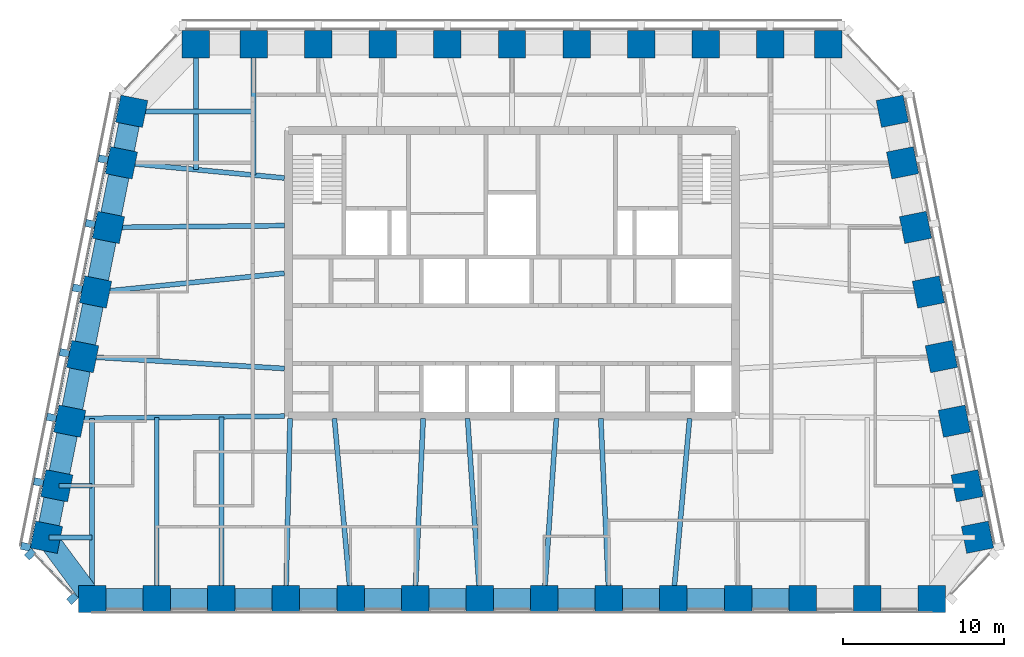
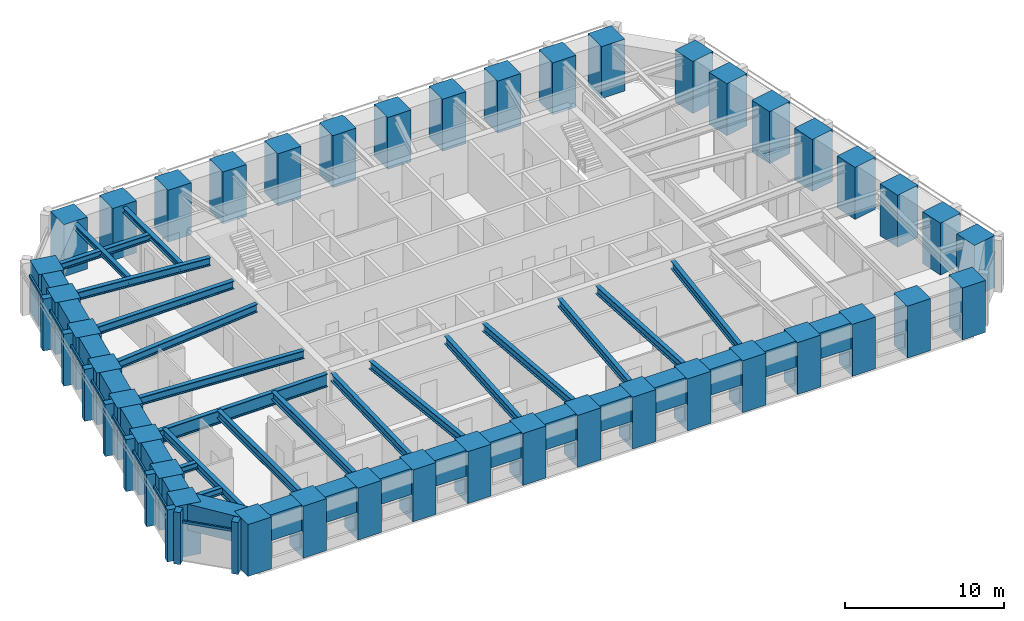
# One storey, part 1 of 11: 41 columns, 39 beams, 17 members, 2 elements without a shape of their own.
"""IFC4 building model written with IfcOpenShell, lengths in metres."""

from ifc_helpers import new_model, si_unit, direction, frame, origin, origin_2d, place, context, subcontext, project, spatial, rectangle, i_section, extrude, material, material_profile, profile_set, type_object, element, aggregate, save


model = new_model("IFC4")

# Units and contexts
model_context = context("Model", 3, precision=1e-05, world=origin(), true_north=direction((0.0, 1.0)))
body_context = subcontext(model_context, "Body", "Model", "MODEL_VIEW")
ifc_project = project(units=[si_unit("LENGTHUNIT", "METRE"), si_unit("AREAUNIT", "SQUARE_METRE"), si_unit("VOLUMEUNIT", "CUBIC_METRE"), si_unit("PLANEANGLEUNIT", "RADIAN"), si_unit("MASSUNIT", "GRAM", prefix="KILO")], contexts=[model_context])

# Site, building, storey
site_placement = place(None, origin())
site = spatial("IfcSite", under=ifc_project, at=site_placement, CompositionType="ELEMENT")
building_placement = place(site_placement, origin())
building = spatial("IfcBuilding", under=site, at=building_placement, Name="Isbrekke Arena Tower", CompositionType="ELEMENT")
storey_placement = place(building_placement, frame((0.0, 0.0, 288.0)))
storey = spatial("IfcBuildingStorey", under=building, at=storey_placement, Name="L67", CompositionType="ELEMENT", Elevation=288.0)

# Columns
ifc_material_1 = material(Name="Concrete B55 (C55/67)", Category="concrete")
ifc_material_profile_1 = material_profile(ifc_material_1, rectangle(XDim=1.699951171875, YDim=1.699951171875, at=origin_2d()), Name="RC 1700x1700")
ifc_profile_set_1 = profile_set([ifc_material_profile_1], Name="Concrete B55 (C55/67)")
column_type = type_object("IfcColumnType", Name="C5 RC 1700 x 1700", PredefinedType="COLUMN", material=ifc_profile_set_1)
for number, where, z_axis, x_axis, name in (
    (1, (-26.0, -5.175048828125, 0.0), (0.0, 0.0, 1.0), (1.0, 0.0, 0.0), "C5 S01"),
    (2, (-22.0, -5.175048828125, 0.0), (0.0, 0.0, 1.0), (1.0, 0.0, 0.0), "C5 S02"),
    (3, (-18.0, -5.175048828125, 0.0), (0.0, 0.0, 1.0), (1.0, 0.0, 0.0), "C5 S03"),
    (4, (-14.0, -5.175048828125, 0.0), (0.0, 0.0, 1.0), (1.0, 0.0, 0.0), "C5 S04"),
    (5, (-10.0, -5.175048828125, 0.0), (0.0, 0.0, 1.0), (1.0, 0.0, 0.0), "C5 S05"),
    (6, (-6.0, -5.175048828125, 0.0), (0.0, 0.0, 1.0), (1.0, 0.0, 0.0), "C5 S06"),
    (7, (-2.0, -5.175048828125, 0.0), (0.0, 0.0, 1.0), (1.0, 0.0, 0.0), "C5 S07"),
    (8, (2.0, -5.175048828125, 0.0), (0.0, 0.0, 1.0), (1.0, 0.0, 0.0), "C5 S08"),
    (9, (6.0, -5.175048828125, 0.0), (0.0, 0.0, 1.0), (1.0, 0.0, 0.0), "C5 S09"),
    (10, (10.0, -5.175048828125, 0.0), (0.0, 0.0, 1.0), (1.0, 0.0, 0.0), "C5 S10"),
    (11, (14.0, -5.175048828125, 0.0), (0.0, 0.0, 1.0), (1.0, 0.0, 0.0), "C5 S11"),
    (12, (18.0, -5.175048828125, 0.0), (0.0, 0.0, 1.0), (1.0, 0.0, 0.0), "C5 S12"),
    (13, (22.0, -5.175048828125, 0.0), (0.0, 0.0, 1.0), (1.0, 0.0, 0.0), "C5 S13"),
    (14, (26.0, -5.175048828125, 0.0), (0.0, 0.0, 1.0), (1.0, 0.0, 0.0), "C5 S14"),
    (15, (28.829345703125, -1.352783203125, 0.0), (0.0, 0.0, 1.0), (-0.196116135138, 0.980580675691, 0.0), "C5 E01"),
    (16, (28.19091796875, 1.838134765625, 0.0), (0.0, 0.0, 1.0), (-0.196116135138, 0.980580675691, 0.0), "C5 E02"),
    (17, (27.39111328125, 5.838134765625, 0.0), (0.0, 0.0, 1.0), (-0.196116135138, 0.980580675691, 0.0), "C5 E03"),
    (18, (26.591064453125, 9.838134765625, 0.0), (0.0, 0.0, 1.0), (-0.196116135138, 0.980580675691, 0.0), "C5 E04"),
    (19, (25.791015625, 13.838134765625, 0.0), (0.0, 0.0, 1.0), (-0.196116135138, 0.980580675691, 0.0), "C5 E05"),
    (20, (24.990966796875, 17.838134765625, 0.0), (0.0, 0.0, 1.0), (-0.196116135138, 0.980580675691, 0.0), "C5 E06"),
    (21, (24.19091796875, 21.838134765625, 0.0), (0.0, 0.0, 1.0), (-0.196116135138, 0.980580675691, 0.0), "C5 E07"),
    (22, (23.552734375, 25.029296875, 0.0), (0.0, 0.0, 1.0), (-0.196116135138, 0.980580675691, 0.0), "C5 E08"),
    (23, (19.574951171875, 29.175048828125, 0.0), (0.0, 0.0, 1.0), (-1.0, 0.0, 0.0), "C5 N01"),
    (24, (16.0, 29.175048828125, 0.0), (0.0, 0.0, 1.0), (-1.0, 0.0, 0.0), "C5 N02"),
    (25, (12.0, 29.175048828125, 0.0), (0.0, 0.0, 1.0), (-1.0, 0.0, 0.0), "C5 N03"),
    (26, (8.0, 29.175048828125, 0.0), (0.0, 0.0, 1.0), (-1.0, 0.0, 0.0), "C5 N04"),
    (27, (4.0, 29.175048828125, 0.0), (0.0, 0.0, 1.0), (-1.0, 0.0, 0.0), "C5 N05"),
    (28, (0.0, 29.175048828125, 0.0), (0.0, 0.0, 1.0), (-1.0, 0.0, 0.0), "C5 N06"),
    (29, (-4.0, 29.175048828125, 0.0), (0.0, 0.0, 1.0), (-1.0, 0.0, 0.0), "C5 N07"),
    (30, (-8.0, 29.175048828125, 0.0), (0.0, 0.0, 1.0), (-1.0, 0.0, 0.0), "C5 N08"),
    (31, (-12.0, 29.175048828125, 0.0), (0.0, 0.0, 1.0), (-1.0, 0.0, 0.0), "C5 N09"),
    (32, (-16.0, 29.175048828125, 0.0), (0.0, 0.0, 1.0), (-1.0, 0.0, 0.0), "C5 N10"),
    (33, (-19.574951171875, 29.175048828125, 0.0), (0.0, 0.0, 1.0), (-1.0, 0.0, 0.0), "C5 N11"),
    (34, (-23.552734375, 25.029296875, 0.0), (0.0, 0.0, 1.0), (-0.196116135138, -0.980580675691, 0.0), "C5 W01"),
    (35, (-24.19091796875, 21.838134765625, 0.0), (0.0, 0.0, 1.0), (-0.196116135138, -0.980580675691, 0.0), "C5 W02"),
    (36, (-24.990966796875, 17.838134765625, 0.0), (0.0, 0.0, 1.0), (-0.196116135138, -0.980580675691, 0.0), "C5 W03"),
    (37, (-25.791015625, 13.838134765625, 0.0), (0.0, 0.0, 1.0), (-0.196116135138, -0.980580675691, 0.0), "C5 W04"),
    (38, (-26.591064453125, 9.838134765625, 0.0), (0.0, 0.0, 1.0), (-0.196116135138, -0.980580675691, 0.0), "C5 W05"),
    (39, (-27.39111328125, 5.838134765625, 0.0), (0.0, 0.0, 1.0), (-0.196116135138, -0.980580675691, 0.0), "C5 W06"),
    (40, (-28.19091796875, 1.838134765625, 0.0), (0.0, 0.0, 1.0), (-0.196116135138, -0.980580675691, 0.0), "C5 W07"),
    (41, (-28.829345703125, -1.352783203125, 0.0), (0.0, 0.0, 1.0), (-0.196116135138, -0.980580675691, 0.0), "C5 W08"),
):
    element("IfcColumn", number, at=place(storey_placement, frame(where, z_axis=z_axis, x_axis=x_axis)), inside=storey, type_object=column_type, Name=name, PredefinedType="COLUMN", context=body_context, shape_type="SweptSolid", body=[
        extrude(rectangle(XDim=1.699951171875, YDim=1.699951171875, at=origin_2d()), origin(), (0.0, 0.0, 1.0), 4.0),
    ])

# Beams
ifc_material_2 = material(Name="Steel S355", Category="steel")
ifc_material_profile_2 = material_profile(ifc_material_2, i_section(OverallWidth=0.304931640625, OverallDepth=0.6201171875, WebThickness=0.02099609375, FlangeThickness=0.0400390625, FilletRadius=0.027099609375, at=origin_2d()), Name="HEM 600")
ifc_profile_set_2 = profile_set([ifc_material_profile_2], Name="Steel S355")
beam_type_1 = type_object("IfcBeamType", Name="B4 HEM 600", PredefinedType="BEAM", material=ifc_profile_set_2)
beam_1_placement = place(storey_placement, frame((-26.0, -5.02490234375, 3.5400390625), z_axis=(0.0, 1.0, 0.0), x_axis=(-1.0, 0.0, 0.0)))
element("IfcBeam", 42, at=beam_1_placement, inside=storey, type_object=beam_type_1, Name="B4 beam C-S01 L67", PredefinedType="BEAM", context=body_context, shape_type="SweptSolid", body=[
    extrude(i_section(OverallWidth=0.304931640625, OverallDepth=0.6201171875, WebThickness=0.02099609375, FlangeThickness=0.0400390625, FilletRadius=0.027099609375, at=origin_2d()), origin(), (0.0, 0.0, 1.0), 11.04052734375),
])
beam_2_placement = place(storey_placement, frame((-22.0, -5.02490234375, 3.5400390625), z_axis=(0.0, 1.0, 0.0), x_axis=(-1.0, 0.0, 0.0)))
element("IfcBeam", 43, at=beam_2_placement, inside=storey, type_object=beam_type_1, Name="B4 beam C-S02 L67", PredefinedType="BEAM", context=body_context, shape_type="SweptSolid", body=[
    extrude(i_section(OverallWidth=0.304931640625, OverallDepth=0.6201171875, WebThickness=0.02099609375, FlangeThickness=0.0400390625, FilletRadius=0.027099609375, at=origin_2d()), origin(), (0.0, 0.0, 1.0), 11.085693359375),
])
beam_3_placement = place(storey_placement, frame((-18.0, -5.02490234375, 3.5400390625), z_axis=(0.0, 1.0, 0.0), x_axis=(-1.0, 0.0, 0.0)))
element("IfcBeam", 44, at=beam_3_placement, inside=storey, type_object=beam_type_1, Name="B4 beam C-S03 L67", PredefinedType="BEAM", context=body_context, shape_type="SweptSolid", body=[
    extrude(i_section(OverallWidth=0.304931640625, OverallDepth=0.6201171875, WebThickness=0.02099609375, FlangeThickness=0.0400390625, FilletRadius=0.027099609375, at=origin_2d()), origin(), (0.0, 0.0, 1.0), 11.130859375),
])
beam_4_placement = place(storey_placement, frame((-14.0, -5.021484375, 3.5400390625), z_axis=(0.022677136914, 0.999742840665, 0.0), x_axis=(-0.999742840665, 0.022677136914, 0.0)))
element("IfcBeam", 45, at=beam_4_placement, inside=storey, type_object=beam_type_1, Name="B4 beam C-S04 L67", PredefinedType="BEAM", context=body_context, shape_type="SweptSolid", body=[
    extrude(i_section(OverallWidth=0.304931640625, OverallDepth=0.6201171875, WebThickness=0.02099609375, FlangeThickness=0.0400390625, FilletRadius=0.027099609375, at=origin_2d()), origin(), (0.0, 0.0, 1.0), 11.0244140625),
])
beam_5_placement = place(storey_placement, frame((-10.001220703125, -5.01123046875, 3.5400390625), z_axis=(-0.090334659435, 0.9959114666, 0.0), x_axis=(-0.9959114666, -0.090334659435, 0.0)))
element("IfcBeam", 46, at=beam_5_placement, inside=storey, type_object=beam_type_1, Name="B4 beam C-S05 L67", PredefinedType="BEAM", context=body_context, shape_type="SweptSolid", body=[
    extrude(i_section(OverallWidth=0.304931640625, OverallDepth=0.6201171875, WebThickness=0.02099609375, FlangeThickness=0.0400390625, FilletRadius=0.027099609375, at=origin_2d()), origin(), (0.0, 0.0, 1.0), 11.056396484375),
])
beam_6_placement = place(storey_placement, frame((-5.999755859375, -5.01806640625, 3.5400390625), z_axis=(0.045311268804, 0.99897291701, 0.0), x_axis=(-0.99897291701, 0.045311268804, 0.0)))
element("IfcBeam", 47, at=beam_6_placement, inside=storey, type_object=beam_type_1, Name="B4 beam C-S06 L67", PredefinedType="BEAM", context=body_context, shape_type="SweptSolid", body=[
    extrude(i_section(OverallWidth=0.304931640625, OverallDepth=0.6201171875, WebThickness=0.02099609375, FlangeThickness=0.0400390625, FilletRadius=0.027099609375, at=origin_2d()), origin(), (0.0, 0.0, 1.0), 11.029296875),
])
for number, where, z_axis, x_axis, name in (
    (48, (-2.000732421875, -5.0146484375, 3.5400390625), (-0.067867804674, 0.99769432247, 0.0), (-0.99769432247, -0.067867804674, 0.0), "B4 beam C-S07 L67"),
    (49, (2.000732421875, -5.0146484375, 3.5400390625), (0.067867804674, 0.99769432247, 0.0), (-0.99769432247, 0.067867804674, 0.0), "B4 beam C-S08 L67"),
):
    element("IfcBeam", number, at=place(storey_placement, frame(where, z_axis=z_axis, x_axis=x_axis)), inside=storey, type_object=beam_type_1, Name=name, PredefinedType="BEAM", context=body_context, shape_type="SweptSolid", body=[
        extrude(i_section(OverallWidth=0.304931640625, OverallDepth=0.6201171875, WebThickness=0.02099609375, FlangeThickness=0.0400390625, FilletRadius=0.027099609375, at=origin_2d()), origin(), (0.0, 0.0, 1.0), 11.0400390625),
    ])
beam_7_placement = place(storey_placement, frame((5.999755859375, -5.01806640625, 3.5400390625), z_axis=(-0.045311268804, 0.99897291701, 0.0), x_axis=(-0.99897291701, -0.045311268804, 0.0)))
element("IfcBeam", 50, at=beam_7_placement, inside=storey, type_object=beam_type_1, Name="B4 beam C-S09 L67", PredefinedType="BEAM", context=body_context, shape_type="SweptSolid", body=[
    extrude(i_section(OverallWidth=0.304931640625, OverallDepth=0.6201171875, WebThickness=0.02099609375, FlangeThickness=0.0400390625, FilletRadius=0.027099609375, at=origin_2d()), origin(), (0.0, 0.0, 1.0), 11.029296875),
])
beam_8_placement = place(storey_placement, frame((10.001220703125, -5.01123046875, 3.5400390625), z_axis=(0.090334659435, 0.9959114666, 0.0), x_axis=(-0.9959114666, 0.090334659435, 0.0)))
element("IfcBeam", 51, at=beam_8_placement, inside=storey, type_object=beam_type_1, Name="B4 beam C-S10 L67", PredefinedType="BEAM", context=body_context, shape_type="SweptSolid", body=[
    extrude(i_section(OverallWidth=0.304931640625, OverallDepth=0.6201171875, WebThickness=0.02099609375, FlangeThickness=0.0400390625, FilletRadius=0.027099609375, at=origin_2d()), origin(), (0.0, 0.0, 1.0), 11.056396484375),
])
beam_9_placement = place(storey_placement, frame((-24.02685546875, 21.8369140625, 3.5400390625), z_axis=(0.995574576627, -0.093974796485, 0.0), x_axis=(0.093974796485, 0.995574576627, 0.0)))
element("IfcBeam", 52, at=beam_9_placement, inside=storey, type_object=beam_type_1, Name="B4 beam E-W02 L67", PredefinedType="BEAM", context=body_context, shape_type="SweptSolid", body=[
    extrude(i_section(OverallWidth=0.304931640625, OverallDepth=0.6201171875, WebThickness=0.02099609375, FlangeThickness=0.0400390625, FilletRadius=0.027099609375, at=origin_2d()), origin(), (0.0, 0.0, 1.0), 9.970947265625),
])
beam_10_placement = place(storey_placement, frame((-24.83935546875, 17.838134765625, 3.5400390625), z_axis=(0.999945800258, 0.010411366203, 0.0), x_axis=(-0.010411366203, 0.999945800258, 0.0)))
element("IfcBeam", 53, at=beam_10_placement, inside=storey, type_object=beam_type_1, Name="B4 beam E-W03 L67", PredefinedType="BEAM", context=body_context, shape_type="SweptSolid", body=[
    extrude(i_section(OverallWidth=0.304931640625, OverallDepth=0.6201171875, WebThickness=0.02099609375, FlangeThickness=0.0400390625, FilletRadius=0.027099609375, at=origin_2d()), origin(), (0.0, 0.0, 1.0), 10.73974609375),
])
beam_11_placement = place(storey_placement, frame((-25.625732421875, 13.83984375, 3.5400390625), z_axis=(0.994972081505, 0.100152668587, 0.0), x_axis=(-0.100152668587, 0.994972081505, 0.0)))
element("IfcBeam", 54, at=beam_11_placement, inside=storey, type_object=beam_type_1, Name="B4 beam E-W04 L67", PredefinedType="BEAM", context=body_context, shape_type="SweptSolid", body=[
    extrude(i_section(OverallWidth=0.304931640625, OverallDepth=0.6201171875, WebThickness=0.02099609375, FlangeThickness=0.0400390625, FilletRadius=0.027099609375, at=origin_2d()), origin(), (0.0, 0.0, 1.0), 11.583984375),
])
beam_12_placement = place(storey_placement, frame((-26.431884765625, 9.837646484375, 3.5400390625), z_axis=(0.998216240514, -0.059702070095, 0.0), x_axis=(0.059702070095, 0.998216240514, 0.0)))
element("IfcBeam", 55, at=beam_12_placement, inside=storey, type_object=beam_type_1, Name="B4 beam E-W05 L67", PredefinedType="BEAM", context=body_context, shape_type="SweptSolid", body=[
    extrude(i_section(OverallWidth=0.304931640625, OverallDepth=0.6201171875, WebThickness=0.02099609375, FlangeThickness=0.0400390625, FilletRadius=0.027099609375, at=origin_2d()), origin(), (0.0, 0.0, 1.0), 12.353759765625),
])
ifc_material_3 = material(Name="Steel S355", Category="steel")
ifc_material_profile_3 = material_profile(ifc_material_3, i_section(OverallWidth=0.305908203125, OverallDepth=0.52392578125, WebThickness=0.02099609375, FlangeThickness=0.0400390625, FilletRadius=0.027099609375, at=origin_2d()), Name="HEM 500")
ifc_profile_set_3 = profile_set([ifc_material_profile_3], Name="Steel S355")
beam_type_2 = type_object("IfcBeamType", Name="B5 HEM 500", PredefinedType="BEAM", material=ifc_profile_set_3)
beam_13_placement = place(storey_placement, frame((-28.041015625, 1.838134765625, 3.587890625), z_axis=(1.0, 0.0, 0.0), x_axis=(0.0, 1.0, 0.0)))
element("IfcBeam", 56, at=beam_13_placement, inside=storey, type_object=beam_type_2, Name="B5 beam E-W07 L67", PredefinedType="BEAM", context=body_context, shape_type="SweptSolid", body=[
    extrude(i_section(OverallWidth=0.305908203125, OverallDepth=0.52392578125, WebThickness=0.02099609375, FlangeThickness=0.0400390625, FilletRadius=0.027099609375, at=origin_2d()), origin(), (0.0, 0.0, 1.0), 2.041015625),
])
beam_14_placement = place(storey_placement, frame((-28.67919921875, -1.352783203125, 3.587890625), z_axis=(1.0, 0.0, 0.0), x_axis=(0.0, 1.0, 0.0)))
element("IfcBeam", 57, at=beam_14_placement, inside=storey, type_object=beam_type_2, Name="B5 beam E-W08 L67", PredefinedType="BEAM", context=body_context, shape_type="SweptSolid", body=[
    extrude(i_section(OverallWidth=0.305908203125, OverallDepth=0.52392578125, WebThickness=0.02099609375, FlangeThickness=0.0400390625, FilletRadius=0.027099609375, at=origin_2d()), origin(), (0.0, 0.0, 1.0), 2.67919921875),
])
beam_15_placement = place(storey_placement, frame((-23.40283203125, 25.029296875, 3.587890625), z_axis=(1.0, 0.0, 0.0), x_axis=(0.0, 1.0, 0.0)))
element("IfcBeam", 58, at=beam_15_placement, inside=storey, type_object=beam_type_2, Name="B5 beam E-W01 L67", PredefinedType="BEAM", context=body_context, shape_type="SweptSolid", body=[
    extrude(i_section(OverallWidth=0.305908203125, OverallDepth=0.52392578125, WebThickness=0.02099609375, FlangeThickness=0.0400390625, FilletRadius=0.027099609375, at=origin_2d()), origin(), (0.0, 0.0, 1.0), 7.40283203125),
])
ifc_material_4 = material(Name="Steel S355", Category="steel")
ifc_material_profile_4 = material_profile(ifc_material_4, i_section(OverallWidth=0.306884765625, OverallDepth=0.431884765625, WebThickness=0.02099609375, FlangeThickness=0.0400390625, FilletRadius=0.027099609375, at=origin_2d()), Name="HEM 400")
ifc_profile_set_4 = profile_set([ifc_material_profile_4], Name="Steel S355")
beam_type_3 = type_object("IfcBeamType", Name="B6 HEM 400", PredefinedType="BEAM", material=ifc_profile_set_4)
beam_16_placement = place(storey_placement, frame((-16.0, 29.02490234375, 3.634033203125), z_axis=(0.0, -1.0, 0.0), x_axis=(1.0, 0.0, 0.0)))
element("IfcBeam", 59, at=beam_16_placement, inside=storey, type_object=beam_type_3, Name="B6 beam N-N10 L67", PredefinedType="BEAM", context=body_context, shape_type="SweptSolid", body=[
    extrude(i_section(OverallWidth=0.306884765625, OverallDepth=0.431884765625, WebThickness=0.02099609375, FlangeThickness=0.0400390625, FilletRadius=0.027099609375, at=origin_2d()), origin(), (0.0, 0.0, 1.0), 7.945556640625),
])
beam_17_placement = place(storey_placement, frame((-19.574951171875, 29.02490234375, 3.634033203125), z_axis=(0.0, -1.0, 0.0), x_axis=(1.0, 0.0, 0.0)))
element("IfcBeam", 60, at=beam_17_placement, inside=storey, type_object=beam_type_3, Name="B6 beam N-N11 L67", PredefinedType="BEAM", context=body_context, shape_type="SweptSolid", body=[
    extrude(i_section(OverallWidth=0.306884765625, OverallDepth=0.431884765625, WebThickness=0.02099609375, FlangeThickness=0.0400390625, FilletRadius=0.027099609375, at=origin_2d()), origin(), (0.0, 0.0, 1.0), 7.608154296875),
])

# Curtain wall, members
ifc_material_5 = material(Name="Glazed aluminium curtain wall", Category="aluminium")
curtain_wall_type = type_object("IfcCurtainWallType", Name="CWT TOWER CURTAIN WALL TOP ZONE", PredefinedType="USERDEFINED", material=ifc_material_5)
curtain_wall_1_placement = place(storey_placement, origin())
curtain_wall_1 = element("IfcCurtainWall", 61, at=curtain_wall_1_placement, inside=storey, type_object=curtain_wall_type, Name="CWT curtain wall L67-W", ObjectType="TOWER CURTAIN WALL TOP ZONE", PredefinedType="USERDEFINED")
ifc_material_6 = material(Name="Copper-clad aluminium mullion", Category="aluminium")
ifc_material_profile_5 = material_profile(ifc_material_6, rectangle(XDim=0.449951171875, YDim=0.60009765625, at=origin_2d()), Name="PIER 450X600")
ifc_profile_set_5 = profile_set([ifc_material_profile_5], Name="Copper-clad aluminium mullion")
member_type_1 = type_object("IfcMemberType", Name="CWT-M PIER MULLION 450 x 600", PredefinedType="MULLION", material=ifc_profile_set_5)
member_1_placement = place(storey_placement, frame((-25.318603515625, 22.063720703125, 0.0), z_axis=(0.0, 0.0, 1.0), x_axis=(-0.196116135138, -0.980580675691, 0.0)))
member_1 = element("IfcMember", 62, at=member_1_placement, type_object=member_type_1, Name="CWT-M mullion 2", PredefinedType="MULLION", context=body_context, shape_type="SweptSolid", body=[
    extrude(rectangle(XDim=0.449951171875, YDim=0.60009765625, at=origin_2d()), origin(), (0.0, 0.0, 1.0), 4.0),
])
member_2_placement = place(storey_placement, frame((-26.11865234375, 18.063720703125, 0.0), z_axis=(0.0, 0.0, 1.0), x_axis=(-0.196116135138, -0.980580675691, 0.0)))
member_2 = element("IfcMember", 63, at=member_2_placement, type_object=member_type_1, Name="CWT-M mullion 3", PredefinedType="MULLION", context=body_context, shape_type="SweptSolid", body=[
    extrude(rectangle(XDim=0.449951171875, YDim=0.60009765625, at=origin_2d()), origin(), (0.0, 0.0, 1.0), 4.0),
])
member_3_placement = place(storey_placement, frame((-26.918701171875, 14.063720703125, 0.0), z_axis=(0.0, 0.0, 1.0), x_axis=(-0.196116135138, -0.980580675691, 0.0)))
member_3 = element("IfcMember", 64, at=member_3_placement, type_object=member_type_1, Name="CWT-M mullion 4", PredefinedType="MULLION", context=body_context, shape_type="SweptSolid", body=[
    extrude(rectangle(XDim=0.449951171875, YDim=0.60009765625, at=origin_2d()), origin(), (0.0, 0.0, 1.0), 4.0),
])
member_4_placement = place(storey_placement, frame((-27.71875, 10.063720703125, 0.0), z_axis=(0.0, 0.0, 1.0), x_axis=(-0.196116135138, -0.980580675691, 0.0)))
member_4 = element("IfcMember", 65, at=member_4_placement, type_object=member_type_1, Name="CWT-M mullion 5", PredefinedType="MULLION", context=body_context, shape_type="SweptSolid", body=[
    extrude(rectangle(XDim=0.449951171875, YDim=0.60009765625, at=origin_2d()), origin(), (0.0, 0.0, 1.0), 4.0),
])
member_5_placement = place(storey_placement, frame((-28.518798828125, 6.063720703125, 0.0), z_axis=(0.0, 0.0, 1.0), x_axis=(-0.196116135138, -0.980580675691, 0.0)))
member_5 = element("IfcMember", 66, at=member_5_placement, type_object=member_type_1, Name="CWT-M mullion 6", PredefinedType="MULLION", context=body_context, shape_type="SweptSolid", body=[
    extrude(rectangle(XDim=0.449951171875, YDim=0.60009765625, at=origin_2d()), origin(), (0.0, 0.0, 1.0), 4.0),
])
member_6_placement = place(storey_placement, frame((-29.318603515625, 2.063720703125, 0.0), z_axis=(0.0, 0.0, 1.0), x_axis=(-0.196116135138, -0.980580675691, 0.0)))
member_6 = element("IfcMember", 67, at=member_6_placement, type_object=member_type_1, Name="CWT-M mullion 7", PredefinedType="MULLION", context=body_context, shape_type="SweptSolid", body=[
    extrude(rectangle(XDim=0.449951171875, YDim=0.60009765625, at=origin_2d()), origin(), (0.0, 0.0, 1.0), 4.0),
])
member_7_placement = place(storey_placement, frame((-30.11865234375, -1.936279296875, 0.0), z_axis=(0.0, 0.0, 1.0), x_axis=(-0.196116135138, -0.980580675691, 0.0)))
member_7 = element("IfcMember", 68, at=member_7_placement, type_object=member_type_1, Name="CWT-M mullion 8", PredefinedType="MULLION", context=body_context, shape_type="SweptSolid", body=[
    extrude(rectangle(XDim=0.449951171875, YDim=0.60009765625, at=origin_2d()), origin(), (0.0, 0.0, 1.0), 4.0),
])

curtain_wall_2_placement = place(storey_placement, origin())
curtain_wall_2 = element("IfcCurtainWall", 69, at=curtain_wall_2_placement, inside=storey, type_object=curtain_wall_type, Name="CWT curtain wall L67-WS", ObjectType="TOWER CURTAIN WALL TOP ZONE", PredefinedType="USERDEFINED")
member_8_placement = place(storey_placement, frame((-29.835205078125, -2.398681640625, 0.0), z_axis=(0.0, 0.0, 1.0), x_axis=(0.68874946192, -0.72499943359, 0.0)))
member_8 = element("IfcMember", 70, at=member_8_placement, type_object=member_type_1, Name="CWT-M mullion 1", PredefinedType="MULLION", context=body_context, shape_type="SweptSolid", body=[
    extrude(rectangle(XDim=0.449951171875, YDim=0.60009765625, at=origin_2d()), origin(), (0.0, 0.0, 1.0), 4.0),
])
member_9_placement = place(storey_placement, frame((-27.219970703125, -5.1513671875, 0.0), z_axis=(0.0, 0.0, 1.0), x_axis=(0.68874946192, -0.72499943359, 0.0)))
member_9 = element("IfcMember", 71, at=member_9_placement, type_object=member_type_1, Name="CWT-M mullion 2", PredefinedType="MULLION", context=body_context, shape_type="SweptSolid", body=[
    extrude(rectangle(XDim=0.449951171875, YDim=0.60009765625, at=origin_2d()), origin(), (0.0, 0.0, 1.0), 4.0),
])

# Member
ifc_material_7 = material(Name="Aluminium transom", Category="aluminium")
ifc_material_profile_6 = material_profile(ifc_material_7, rectangle(XDim=0.1201171875, YDim=0.199951171875, at=origin_2d()), Name="TRANSOM 120X200")
ifc_profile_set_6 = profile_set([ifc_material_profile_6], Name="Aluminium transom")
member_type_2 = type_object("IfcMemberType", Name="CWT-T TRANSOM 120 x 200", PredefinedType="USERDEFINED", material=ifc_profile_set_6)
member_10_placement = place(storey_placement, frame((-24.36669921875, 25.803955078125, 3.0), z_axis=(-0.196090262229, -0.980585849918, 0.0), x_axis=(0.980585849918, -0.196090262229, 0.0)))
member_10 = element("IfcMember", 72, at=member_10_placement, type_object=member_type_2, Name="CWT-T transom 1", ObjectType="TRANSOM", PredefinedType="USERDEFINED", context=body_context, shape_type="SweptSolid", body=[
    extrude(rectangle(XDim=0.1201171875, YDim=0.199951171875, at=origin_2d()), origin(), (0.0, 0.0, 1.0), 3.62939453125),
])

member_11_placement = place(storey_placement, frame((-25.166748046875, 21.803955078125, 3.0), z_axis=(-0.196090262229, -0.980585849918, 0.0), x_axis=(0.980585849918, -0.196090262229, 0.0)))
member_11 = element("IfcMember", 73, at=member_11_placement, type_object=member_type_2, Name="CWT-T transom 2", ObjectType="TRANSOM", PredefinedType="USERDEFINED", context=body_context, shape_type="SweptSolid", body=[
    extrude(rectangle(XDim=0.1201171875, YDim=0.199951171875, at=origin_2d()), origin(), (0.0, 0.0, 1.0), 3.62939453125),
])

member_12_placement = place(storey_placement, frame((-25.966796875, 17.803955078125, 3.0), z_axis=(-0.196090262229, -0.980585849918, 0.0), x_axis=(0.980585849918, -0.196090262229, 0.0)))
member_12 = element("IfcMember", 74, at=member_12_placement, type_object=member_type_2, Name="CWT-T transom 3", ObjectType="TRANSOM", PredefinedType="USERDEFINED", context=body_context, shape_type="SweptSolid", body=[
    extrude(rectangle(XDim=0.1201171875, YDim=0.199951171875, at=origin_2d()), origin(), (0.0, 0.0, 1.0), 3.62939453125),
])

member_13_placement = place(storey_placement, frame((-26.7666015625, 13.803955078125, 3.0), z_axis=(-0.196154943734, -0.980572913173, 0.0), x_axis=(0.980572913173, -0.196154943734, 0.0)))
member_13 = element("IfcMember", 75, at=member_13_placement, type_object=member_type_2, Name="CWT-T transom 4", ObjectType="TRANSOM", PredefinedType="USERDEFINED", context=body_context, shape_type="SweptSolid", body=[
    extrude(rectangle(XDim=0.1201171875, YDim=0.199951171875, at=origin_2d()), origin(), (0.0, 0.0, 1.0), 3.62939453125),
])

member_14_placement = place(storey_placement, frame((-27.566650390625, 9.803955078125, 3.0), z_axis=(-0.196154943734, -0.980572913173, 0.0), x_axis=(0.980572913173, -0.196154943734, 0.0)))
member_14 = element("IfcMember", 76, at=member_14_placement, type_object=member_type_2, Name="CWT-T transom 5", ObjectType="TRANSOM", PredefinedType="USERDEFINED", context=body_context, shape_type="SweptSolid", body=[
    extrude(rectangle(XDim=0.1201171875, YDim=0.199951171875, at=origin_2d()), origin(), (0.0, 0.0, 1.0), 3.62939453125),
])

member_15_placement = place(storey_placement, frame((-28.36669921875, 5.803955078125, 3.0), z_axis=(-0.196090262229, -0.980585849918, 0.0), x_axis=(0.980585849918, -0.196090262229, 0.0)))
member_15 = element("IfcMember", 77, at=member_15_placement, type_object=member_type_2, Name="CWT-T transom 6", ObjectType="TRANSOM", PredefinedType="USERDEFINED", context=body_context, shape_type="SweptSolid", body=[
    extrude(rectangle(XDim=0.1201171875, YDim=0.199951171875, at=origin_2d()), origin(), (0.0, 0.0, 1.0), 3.62939453125),
])

member_16_placement = place(storey_placement, frame((-29.166748046875, 1.803955078125, 3.0), z_axis=(-0.196090262229, -0.980585849918, 0.0), x_axis=(0.980585849918, -0.196090262229, 0.0)))
member_16 = element("IfcMember", 78, at=member_16_placement, type_object=member_type_2, Name="CWT-T transom 7", ObjectType="TRANSOM", PredefinedType="USERDEFINED", context=body_context, shape_type="SweptSolid", body=[
    extrude(rectangle(XDim=0.1201171875, YDim=0.199951171875, at=origin_2d()), origin(), (0.0, 0.0, 1.0), 3.62939453125),
])

aggregate(curtain_wall_1, [member_1, member_2, member_3, member_4, member_5, member_6, member_7, member_10, member_11, member_12, member_13, member_14, member_15, member_16])

member_17_placement = place(storey_placement, frame((-29.53515625, -2.424072265625, 3.0), z_axis=(0.688783970492, -0.724966648883, 0.0), x_axis=(0.724966648883, 0.688783970492, 0.0)))
member_17 = element("IfcMember", 79, at=member_17_placement, type_object=member_type_2, Name="CWT-T transom 1", ObjectType="TRANSOM", PredefinedType="USERDEFINED", context=body_context, shape_type="SweptSolid", body=[
    extrude(rectangle(XDim=0.1201171875, YDim=0.199951171875, at=origin_2d()), origin(), (0.0, 0.0, 1.0), 3.3466796875),
])

aggregate(curtain_wall_2, [member_8, member_9, member_17])

# Beams
ifc_material_8 = material(Name="Steel S355", Category="steel")
ifc_material_profile_7 = material_profile(ifc_material_8, i_section(OverallWidth=0.302001953125, OverallDepth=1.008056640625, WebThickness=0.02099609375, FlangeThickness=0.0400390625, FilletRadius=0.030029296875, at=origin_2d()), Name="HEM 1000")
ifc_profile_set_7 = profile_set([ifc_material_profile_7], Name="Steel S355")
beam_type_4 = type_object("IfcBeamType", Name="G2 HEM 1000", PredefinedType="BEAM", material=ifc_profile_set_7)
beam_18_placement = place(storey_placement, frame((-14.10009765625, 6.14990234375, 3.345947265625), z_axis=(-0.999936387749, -0.011279204565, 0.0), x_axis=(0.011279204565, -0.999936387749, 0.0)))
element("IfcBeam", 80, at=beam_18_placement, inside=storey, type_object=beam_type_4, Name="G2 beam G2-W L67", PredefinedType="BEAM", context=body_context, shape_type="SweptSolid", body=[
    extrude(i_section(OverallWidth=0.302001953125, OverallDepth=1.008056640625, WebThickness=0.02099609375, FlangeThickness=0.0400390625, FilletRadius=0.030029296875, at=origin_2d()), origin(), (0.0, 0.0, 1.0), 13.2900390625),
])
ifc_material_9 = material(Name="Concrete B55 (C55/67)", Category="concrete")
ifc_material_profile_8 = material_profile(ifc_material_9, rectangle(XDim=1.300048828125, YDim=2.0, at=origin_2d()), Name="RC 1300x2000")
ifc_profile_set_8 = profile_set([ifc_material_profile_8], Name="Concrete B55 (C55/67)")
beam_type_5 = type_object("IfcBeamType", Name="SB4 RC 1300 x 2000", PredefinedType="SPANDREL", material=ifc_profile_set_8)
for number, where, z_axis, x_axis, name in (
    (81, (-25.85009765625, -5.175048828125, 3.0), (1.0, 0.0, 0.0), (0.0, 1.0, 0.0), "SB4 spandrel S01-S02 L67"),
    (82, (-21.85009765625, -5.175048828125, 3.0), (1.0, 0.0, 0.0), (0.0, 1.0, 0.0), "SB4 spandrel S02-S03 L67"),
    (83, (-17.85009765625, -5.175048828125, 3.0), (1.0, 0.0, 0.0), (0.0, 1.0, 0.0), "SB4 spandrel S03-S04 L67"),
    (84, (-13.85009765625, -5.175048828125, 3.0), (1.0, 0.0, 0.0), (0.0, 1.0, 0.0), "SB4 spandrel S04-S05 L67"),
    (85, (-9.85009765625, -5.175048828125, 3.0), (1.0, 0.0, 0.0), (0.0, 1.0, 0.0), "SB4 spandrel S05-S06 L67"),
    (86, (-5.85009765625, -5.175048828125, 3.0), (1.0, 0.0, 0.0), (0.0, 1.0, 0.0), "SB4 spandrel S06-S07 L67"),
    (87, (-1.85009765625, -5.175048828125, 3.0), (1.0, 0.0, 0.0), (0.0, 1.0, 0.0), "SB4 spandrel S07-S08 L67"),
    (88, (2.14990234375, -5.175048828125, 3.0), (1.0, 0.0, 0.0), (0.0, 1.0, 0.0), "SB4 spandrel S08-S09 L67"),
    (89, (6.14990234375, -5.175048828125, 3.0), (1.0, 0.0, 0.0), (0.0, 1.0, 0.0), "SB4 spandrel S09-S10 L67"),
    (90, (10.14990234375, -5.175048828125, 3.0), (1.0, 0.0, 0.0), (0.0, 1.0, 0.0), "SB4 spandrel S10-S11 L67"),
    (91, (14.14990234375, -5.175048828125, 3.0), (1.0, 0.0, 0.0), (0.0, 1.0, 0.0), "SB4 spandrel S11-S12 L67"),
):
    element("IfcBeam", number, at=place(storey_placement, frame(where, z_axis=z_axis, x_axis=x_axis)), inside=storey, type_object=beam_type_5, Name=name, PredefinedType="SPANDREL", context=body_context, shape_type="SweptSolid", body=[
        extrude(rectangle(XDim=1.300048828125, YDim=2.0, at=origin_2d()), origin(), (0.0, 0.0, 1.0), 3.7001953125),
    ])
beam_19_placement = place(storey_placement, frame((-23.582275390625, 24.882080078125, 3.0), z_axis=(-0.196116135138, -0.980580675691, 0.0), x_axis=(0.980580675691, -0.196116135138, 0.0)))
element("IfcBeam", 92, at=beam_19_placement, inside=storey, type_object=beam_type_5, Name="SB4 spandrel W01-W02 L67", PredefinedType="SPANDREL", context=body_context, shape_type="SweptSolid", body=[
    extrude(rectangle(XDim=1.300048828125, YDim=2.0, at=origin_2d()), origin(), (0.0, 0.0, 1.0), 2.9541015625),
])
for number, where, z_axis, x_axis, name in (
    (93, (-24.220458984375, 21.691162109375, 3.0), (-0.196128558387, -0.980578190959, 0.0), (0.980578190959, -0.196128558387, 0.0), "SB4 spandrel W02-W03 L67"),
    (94, (-25.0205078125, 17.691162109375, 3.0), (-0.196128558387, -0.980578190959, 0.0), (0.980578190959, -0.196128558387, 0.0), "SB4 spandrel W03-W04 L67"),
):
    element("IfcBeam", number, at=place(storey_placement, frame(where, z_axis=z_axis, x_axis=x_axis)), inside=storey, type_object=beam_type_5, Name=name, PredefinedType="SPANDREL", context=body_context, shape_type="SweptSolid", body=[
        extrude(rectangle(XDim=1.300048828125, YDim=2.0, at=origin_2d()), origin(), (0.0, 0.0, 1.0), 3.779296875),
    ])
beam_20_placement = place(storey_placement, frame((-25.820556640625, 13.691162109375, 3.0), z_axis=(-0.1960664412, -0.980590613169, 0.0), x_axis=(0.980590613169, -0.1960664412, 0.0)))
element("IfcBeam", 95, at=beam_20_placement, inside=storey, type_object=beam_type_5, Name="SB4 spandrel W04-W05 L67", PredefinedType="SPANDREL", context=body_context, shape_type="SweptSolid", body=[
    extrude(rectangle(XDim=1.300048828125, YDim=2.0, at=origin_2d()), origin(), (0.0, 0.0, 1.0), 3.779052734375),
])
for number, where, z_axis, x_axis, name in (
    (96, (-26.620361328125, 9.691162109375, 3.0), (-0.196128558387, -0.980578190959, 0.0), (0.980578190959, -0.196128558387, 0.0), "SB4 spandrel W05-W06 L67"),
    (97, (-27.42041015625, 5.691162109375, 3.0), (-0.196128558387, -0.980578190959, 0.0), (0.980578190959, -0.196128558387, 0.0), "SB4 spandrel W06-W07 L67"),
):
    element("IfcBeam", number, at=place(storey_placement, frame(where, z_axis=z_axis, x_axis=x_axis)), inside=storey, type_object=beam_type_5, Name=name, PredefinedType="SPANDREL", context=body_context, shape_type="SweptSolid", body=[
        extrude(rectangle(XDim=1.300048828125, YDim=2.0, at=origin_2d()), origin(), (0.0, 0.0, 1.0), 3.779296875),
    ])
beam_21_placement = place(storey_placement, frame((-28.220458984375, 1.691162109375, 3.0), z_axis=(-0.196100243168, -0.980583853951, 0.0), x_axis=(0.980583853951, -0.196100243168, 0.0)))
element("IfcBeam", 98, at=beam_21_placement, inside=storey, type_object=beam_type_5, Name="SB4 spandrel W07-W08 L67", PredefinedType="SPANDREL", context=body_context, shape_type="SweptSolid", body=[
    extrude(rectangle(XDim=1.300048828125, YDim=2.0, at=origin_2d()), origin(), (0.0, 0.0, 1.0), 2.954345703125),
])
beam_22_placement = place(storey_placement, frame((-28.739990234375, -1.473388671875, 3.0), z_axis=(0.594937895072, -0.803771672185, 0.0), x_axis=(0.803771672185, 0.594937895072, 0.0)))
element("IfcBeam", 99, at=beam_22_placement, inside=storey, type_object=beam_type_5, Name="SB4 spandrel W08-S01 L67", PredefinedType="SPANDREL", context=body_context, shape_type="SweptSolid", body=[
    extrude(rectangle(XDim=1.300048828125, YDim=2.0, at=origin_2d()), origin(), (0.0, 0.0, 1.0), 4.455322265625),
])

save(model, "model.ifc")
